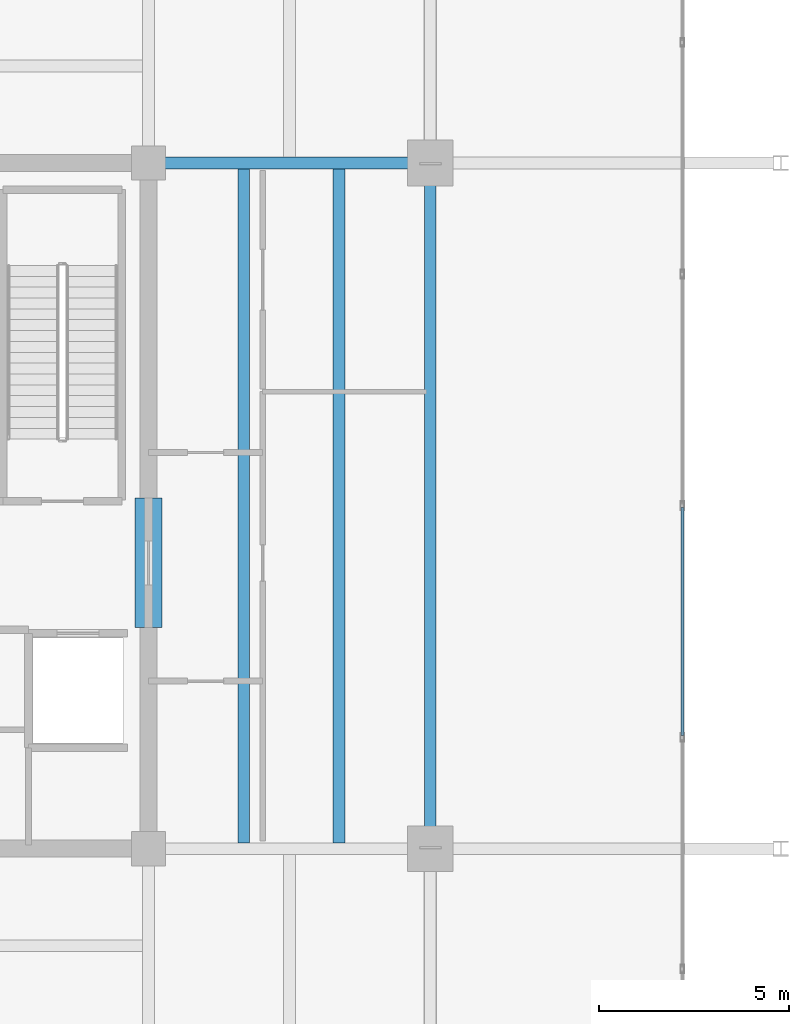
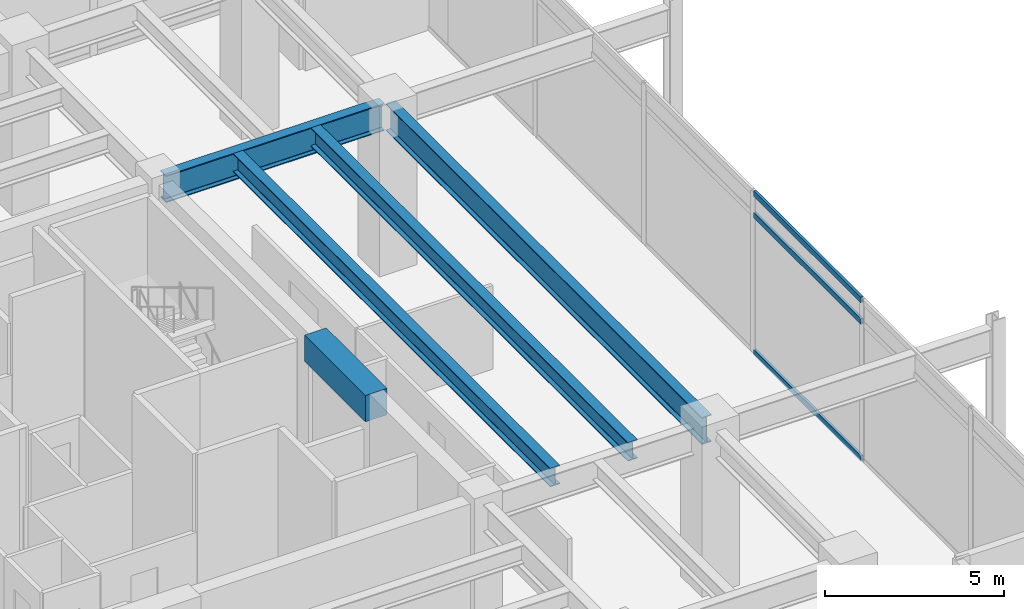
# One storey, part 11 of 25: 5 beams, 3 members, 1 element without a shape of its own.
"""IFC4 building model written with IfcOpenShell, lengths in metres."""

import ifcopenshell
import ifcopenshell.guid

model = None  # the IFC model being written
_history = None  # IfcOwnerHistory: only IFC2X3 demands one
_inside = {}  # id of a spatial element -> (the spatial element, [elements in it])
_under = {}  # id of a project, library or spatial element -> (it, [spatial elements below it])
_declared = {}  # id of a project -> (the project, [libraries it declares])
_typed = {}  # id of a type object -> (the type object, [elements of that type])
_made_of = {}  # id of a material, layer set ... -> (it, [elements and type objects made of it])


def new_model(schema):
    """Start an empty IFC model of exactly this schema.

    Asked for "IFC4X3", IfcOpenShell would pick the latest addendum, in which some entities
    have other attributes; the version numbers below select the first issue.
    IFC2X3 requires an IfcOwnerHistory on every rooted entity: one is made here for all.
    """
    global model, _history
    if schema == "IFC4X3":
        model = ifcopenshell.file(schema_version=(4, 3, 0, 0))
    else:
        model = ifcopenshell.file(schema=schema)
    _inside.clear()
    _under.clear()
    _declared.clear()
    _typed.clear()
    _made_of.clear()
    _history = None
    if model.schema == "IFC2X3":
        org = make("IfcOrganization", Name="unknown")
        user = make(
            "IfcPersonAndOrganization",
            ThePerson=make("IfcPerson", FamilyName="unknown"),
            TheOrganization=org,
        )
        app = make(
            "IfcApplication",
            ApplicationDeveloper=org,
            Version="unknown",
            ApplicationFullName="unknown",
            ApplicationIdentifier="unknown",
        )
        _history = make(
            "IfcOwnerHistory",
            OwningUser=user,
            OwningApplication=app,
            ChangeAction="ADDED",
            CreationDate=0,
        )
    return model


def make(cls, **values):
    """One entity of the class cls with the attributes given. An attribute that is None is left unset."""
    return model.create_entity(
        cls, **{name: value for name, value in values.items() if value is not None}
    )


def rooted(cls, **values):
    """An entity with a GlobalId (a new one), such as an element, a storey or a relation."""
    return make(cls, GlobalId=ifcopenshell.guid.new(), OwnerHistory=_history, **values)


def si_unit(unit_type, name, prefix=None):
    """IfcSIUnit, for example si_unit("LENGTHUNIT", "METRE", prefix="MILLI")."""
    return make("IfcSIUnit", UnitType=unit_type, Prefix=prefix, Name=name)


def assignment(units):
    """IfcUnitAssignment: the units of a project."""
    return None if units is None else make("IfcUnitAssignment", Units=units)


def point(xyz):
    """IfcCartesianPoint."""
    return None if xyz is None else make("IfcCartesianPoint", Coordinates=xyz)


def direction(xyz):
    """IfcDirection."""
    return None if xyz is None else make("IfcDirection", DirectionRatios=xyz)


def frame(location, z_axis=None, x_axis=None):
    """IfcAxis2Placement3D, a coordinate frame: its origin and axes. An axis left out is left unset."""
    return make(
        "IfcAxis2Placement3D",
        Location=point(location),
        Axis=direction(z_axis),
        RefDirection=direction(x_axis),
    )


def frame_2d(location, x_axis=None):
    """IfcAxis2Placement2D, a coordinate frame in the plane: its origin and x axis."""
    return make(
        "IfcAxis2Placement2D", Location=point(location), RefDirection=direction(x_axis)
    )


def origin():
    """The frame at (0, 0, 0) with its axes left unset."""
    return frame((0.0, 0.0, 0.0))


def origin_2d():
    """The frame at (0, 0) in the plane with its x axis left unset."""
    return frame_2d((0.0, 0.0))


def place(relative_to, where):
    """IfcLocalPlacement: puts the frame where relative to a parent placement (None: the world)."""
    return make(
        "IfcLocalPlacement", PlacementRelTo=relative_to, RelativePlacement=where
    )


def context(
    kind, dimensions, precision=None, world=None, true_north=None, identifier=None
):
    """IfcGeometricRepresentationContext, for example the 3D "Model" context."""
    return make(
        "IfcGeometricRepresentationContext",
        ContextIdentifier=identifier,
        ContextType=kind,
        CoordinateSpaceDimension=dimensions,
        Precision=precision,
        WorldCoordinateSystem=world,
        TrueNorth=true_north,
    )


def subcontext(parent, identifier, kind, view, scale=None):
    """IfcGeometricRepresentationSubContext, for example "Body" below "Model"."""
    return make(
        "IfcGeometricRepresentationSubContext",
        ContextIdentifier=identifier,
        ContextType=kind,
        ParentContext=parent,
        TargetScale=scale,
        TargetView=view,
    )


def project(units=None, contexts=None):
    """IfcProject with its units and contexts."""
    return rooted(
        "IfcProject",
        Name="project",
        RepresentationContexts=contexts,
        UnitsInContext=assignment(units),
    )


def spatial(cls, under=None, at=None, **own):
    """A site, building, storey or space (cls), placed at a placement, below another one or the project."""
    s = rooted(cls, ObjectPlacement=at, **own)
    if under is not None:
        _under.setdefault(under.id(), (under, []))[1].append(s)
    return s


def profile(cls, at=None, kind="AREA", **sizes):
    """A parametric profile (cls). Its sizes go by their IFC names, for example OverallWidth=200.0."""
    return make(cls, ProfileType=kind, Position=at, **sizes)


def rectangle(**sizes):
    """IfcRectangleProfileDef."""
    return profile("IfcRectangleProfileDef", **sizes)


def hollow_rectangle(**sizes):
    """IfcRectangleHollowProfileDef."""
    return profile("IfcRectangleHollowProfileDef", **sizes)


def i_section(**sizes):
    """IfcIShapeProfileDef."""
    return profile("IfcIShapeProfileDef", **sizes)


def extrude(swept, where, along, depth):
    """IfcExtrudedAreaSolid: the profile swept, set in the frame where, extruded along a direction by depth."""
    return make(
        "IfcExtrudedAreaSolid",
        SweptArea=swept,
        Position=where,
        ExtrudedDirection=direction(along),
        Depth=depth,
    )


def shape(context_of_items, identifier, shape_type, items):
    """IfcShapeRepresentation: the items that make up one representation, for example the "Body"."""
    return make(
        "IfcShapeRepresentation",
        ContextOfItems=context_of_items,
        RepresentationIdentifier=identifier,
        RepresentationType=shape_type,
        Items=items,
    )


def material(Name=None, Category=None):
    """IfcMaterial."""
    return make("IfcMaterial", Name=Name, Category=Category)


def material_profile(
    of_material, cross_section, Name=None, Category=None, Priority=None
):
    """IfcMaterialProfile: a cross section and its material."""
    return make(
        "IfcMaterialProfile",
        Name=Name,
        Material=of_material,
        Profile=cross_section,
        Priority=Priority,
        Category=Category,
    )


def profile_set(profiles, Name=None, composite=None):
    """IfcMaterialProfileSet."""
    return make(
        "IfcMaterialProfileSet",
        Name=Name,
        MaterialProfiles=profiles,
        CompositeProfile=composite,
    )


def made_of(thing, what):
    """Note that an element or type object is made of a material, layer set ...; save() writes the relation."""
    if what is not None:
        _made_of.setdefault(what.id(), (what, []))[1].append(thing)
    return thing


def type_object(cls, material=None, **own):
    """A type object (cls), such as IfcWallType, which elements share."""
    return made_of(rooted(cls, **own), material)


def element(
    cls,
    number,
    at=None,
    inside=None,
    cuts=None,
    type_object=None,
    material=None,
    context=None,
    identifier="Body",
    shape_type=None,
    held_by="IfcProductDefinitionShape",
    body=None,
    shapes=None,
    **own,
):
    """One element of the class cls, such as IfcWall. Its Tag is "e" and its number.

    at: its placement. inside: the storey or other place that contains it. cuts: it is an
    opening in that element (IfcRelVoidsElement). A single representation is given by context,
    identifier, shape_type and body (its items); several are given by shapes. held_by: the class
    of the entity that holds the representations. save() writes the other relations.
    """
    e = rooted(cls, Tag="e%d" % number, ObjectPlacement=at, **own)
    if body is not None:
        shapes = [shape(context, identifier, shape_type, body)]
    if shapes is not None:
        e.Representation = make(held_by, Representations=shapes)
    if inside is not None:
        _inside.setdefault(inside.id(), (inside, []))[1].append(e)
    if cuts is not None:
        rooted(
            "IfcRelVoidsElement", RelatingBuildingElement=cuts, RelatedOpeningElement=e
        )
    if type_object is not None:
        _typed.setdefault(type_object.id(), (type_object, []))[1].append(e)
    return made_of(e, material)


def aggregate(whole, parts):
    """IfcRelAggregates: a whole, such as a stair, and the parts it consists of."""
    return rooted("IfcRelAggregates", RelatingObject=whole, RelatedObjects=parts)


def save(model, path):
    """Write the relations noted so far, then the file.

    IfcRelAggregates (storeys below a building ...), IfcRelContainedInSpatialStructure (elements
    in a storey), IfcRelDefinesByType, IfcRelAssociatesMaterial and IfcRelDeclares: one each for
    every whole, place, type object, material and project.
    """
    for whole, parts in _under.values():
        aggregate(whole, parts)
    for where, things in _inside.values():
        rooted(
            "IfcRelContainedInSpatialStructure",
            RelatedElements=things,
            RelatingStructure=where,
        )
    for kind, things in _typed.values():
        rooted("IfcRelDefinesByType", RelatedObjects=things, RelatingType=kind)
    for what, things in _made_of.values():
        rooted("IfcRelAssociatesMaterial", RelatedObjects=things, RelatingMaterial=what)
    for by, libraries in _declared.values():
        rooted("IfcRelDeclares", RelatingContext=by, RelatedDefinitions=libraries)
    model.write(path)


model = new_model("IFC4")

# Units and contexts
model_context = context("Model", 3, precision=1e-05, world=origin(), true_north=direction((0.0, 1.0)))
body_context = subcontext(model_context, "Body", "Model", "MODEL_VIEW")
ifc_project = project(units=[si_unit("LENGTHUNIT", "METRE"), si_unit("AREAUNIT", "SQUARE_METRE"), si_unit("VOLUMEUNIT", "CUBIC_METRE"), si_unit("PLANEANGLEUNIT", "RADIAN"), si_unit("MASSUNIT", "GRAM", prefix="KILO")], contexts=[model_context])

# Site, building, storey
site_placement = place(None, origin())
site = spatial("IfcSite", under=ifc_project, at=site_placement, CompositionType="ELEMENT")
building_placement = place(site_placement, origin())
building = spatial("IfcBuilding", under=site, at=building_placement, Name="Kovane Verandah Tower", CompositionType="ELEMENT")
storey_placement = place(building_placement, frame((0.0, 0.0, 295.199951171875)))
storey = spatial("IfcBuildingStorey", under=building, at=storey_placement, Name="L69", CompositionType="ELEMENT", Elevation=295.199951171875)

# Beams
ifc_material_1 = material(Name="Concrete C60/75", Category="concrete")
ifc_material_profile_1 = material_profile(ifc_material_1, rectangle(XDim=0.699951171875, YDim=0.89990234375, at=origin_2d()), Name="RCB700x900")
ifc_profile_set_1 = profile_set([ifc_material_profile_1], Name="Concrete C60/75")
beam_type_1 = type_object("IfcBeamType", Name="BM-LINTEL-700x900", PredefinedType="LINTEL", material=ifc_profile_set_1)
beam_1_placement = place(storey_placement, frame((51.0, 24.300048828125, 5.050048828125), z_axis=(0.0, 1.0, 0.0), x_axis=(-1.0, 0.0, 0.0)))
element("IfcBeam", 1, at=beam_1_placement, inside=storey, type_object=beam_type_1, Name="L69 Core Coupling Lintel CL-E", PredefinedType="LINTEL", context=body_context, shape_type="SweptSolid", body=[
    extrude(rectangle(XDim=0.699951171875, YDim=0.89990234375, at=origin_2d()), origin(), (0.0, 0.0, 1.0), 3.39990234375),
])
ifc_material_2 = material(Name="Steel S460", Category="steel")
ifc_material_profile_2 = material_profile(ifc_material_2, i_section(OverallWidth=0.311279296875, OverallDepth=0.6357421875, WebThickness=0.018310546875, FlangeThickness=0.031494140625, FilletRadius=0.0166015625, at=origin_2d()), Name="UB610x305x238")
ifc_profile_set_2 = profile_set([ifc_material_profile_2], Name="Steel S460")
beam_type_2 = type_object("IfcBeamType", Name="BM-UB610x238", PredefinedType="BEAM", material=ifc_profile_set_2)
for number, where, z_axis, x_axis, name in (
    (2, (53.5, 18.65185546875, 5.18212890625), (0.0, 1.0, 0.0), (-1.0, 0.0, 0.0), "L69 Secondary Composite Joist J-E1"),
    (3, (56.0, 18.65185546875, 5.18212890625), (0.0, 1.0, 0.0), (-1.0, 0.0, 0.0), "L69 Secondary Composite Joist J-E2"),
):
    element("IfcBeam", number, at=place(storey_placement, frame(where, z_axis=z_axis, x_axis=x_axis)), inside=storey, type_object=beam_type_2, Name=name, PredefinedType="BEAM", context=body_context, shape_type="SweptSolid", body=[
        extrude(i_section(OverallWidth=0.311279296875, OverallDepth=0.6357421875, WebThickness=0.018310546875, FlangeThickness=0.031494140625, FilletRadius=0.0166015625, at=origin_2d()), origin(), (0.0, 0.0, 1.0), 17.6962890625),
    ])
ifc_material_profile_3 = material_profile(ifc_material_2, i_section(OverallWidth=0.3076171875, OverallDepth=0.926513671875, WebThickness=0.01953125, FlangeThickness=0.031982421875, FilletRadius=0.01904296875, at=origin_2d()), Name="UB914x305x289")
ifc_profile_set_3 = profile_set([ifc_material_profile_3], Name="Steel S460")
beam_type_3 = type_object("IfcBeamType", Name="BM-UB914x289", PredefinedType="BEAM", material=ifc_profile_set_3)
beam_2_placement = place(storey_placement, frame((58.39990234375, 18.679931640625, 5.036865234375), z_axis=(0.0, 1.0, 0.0), x_axis=(-1.0, 0.0, 0.0)))
element("IfcBeam", 4, at=beam_2_placement, inside=storey, type_object=beam_type_3, Name="L69 Primary Tower Girder G-RE2", PredefinedType="BEAM", context=body_context, shape_type="SweptSolid", body=[
    extrude(i_section(OverallWidth=0.3076171875, OverallDepth=0.926513671875, WebThickness=0.01953125, FlangeThickness=0.031982421875, FilletRadius=0.01904296875, at=origin_2d()), origin(), (0.0, 0.0, 1.0), 17.64013671875),
])
beam_3_placement = place(storey_placement, frame((51.179931640625, 36.5, 5.036865234375), z_axis=(1.0, 0.0, 0.0), x_axis=(0.0, 1.0, 0.0)))
element("IfcBeam", 5, at=beam_3_placement, inside=storey, type_object=beam_type_3, Name="L69 Primary Tower Girder G-E2", PredefinedType="BEAM", context=body_context, shape_type="SweptSolid", body=[
    extrude(i_section(OverallWidth=0.3076171875, OverallDepth=0.926513671875, WebThickness=0.01953125, FlangeThickness=0.031982421875, FilletRadius=0.01904296875, at=origin_2d()), origin(), (0.0, 0.0, 1.0), 7.0400390625),
])

# Curtain wall, members
ifc_material_3 = material(Name="Champagne Anodised Aluminium Frame with Low-E Clear Laminated Glass", Category="aluminium")
curtain_wall_type = type_object("IfcCurtainWallType", Name="CW-SYS-05-HIGH", PredefinedType="NOTDEFINED", material=ifc_material_3)
curtain_wall_placement = place(storey_placement, origin())
curtain_wall = element("IfcCurtainWall", 6, at=curtain_wall_placement, inside=storey, type_object=curtain_wall_type, Name="L69 E Unitised Curtain Wall", PredefinedType="NOTDEFINED")
ifc_material_4 = material(Name="Champagne Anodised Aluminium 6063-T6", Category="aluminium")
ifc_material_profile_4 = material_profile(ifc_material_4, hollow_rectangle(XDim=0.0849609375, YDim=0.18994140625, WallThickness=0.00390625, at=origin_2d()), Name="AL85x190x4")
ifc_profile_set_4 = profile_set([ifc_material_profile_4], Name="Champagne Anodised Aluminium 6063-T6")
member_type = type_object("IfcMemberType", Name="CW-TRN-85x190", PredefinedType="USERDEFINED", material=ifc_profile_set_4)
member_1_placement = place(storey_placement, frame((65.017822265625, 21.469482421875, 0.050048828125), z_axis=(0.0, 1.0, 0.0), x_axis=(-1.0, 0.0, 0.0)))
member_1 = element("IfcMember", 7, at=member_1_placement, type_object=member_type, Name="L69 E Unitised Curtain Wall Transom TB Bay 3", ObjectType="TRANSOM", PredefinedType="USERDEFINED", context=body_context, shape_type="SweptSolid", body=[
    extrude(hollow_rectangle(XDim=0.0849609375, YDim=0.18994140625, WallThickness=0.00390625, at=origin_2d()), origin(), (0.0, 0.0, 1.0), 5.98046875),
])
member_2_placement = place(storey_placement, frame((65.017822265625, 21.469482421875, 4.719970703125), z_axis=(0.0, 1.0, 0.0), x_axis=(-1.0, 0.0, 0.0)))
member_2 = element("IfcMember", 8, at=member_2_placement, type_object=member_type, Name="L69 E Unitised Curtain Wall Transom TM Bay 3", ObjectType="TRANSOM", PredefinedType="USERDEFINED", context=body_context, shape_type="SweptSolid", body=[
    extrude(hollow_rectangle(XDim=0.0849609375, YDim=0.18994140625, WallThickness=0.00390625, at=origin_2d()), origin(), (0.0, 0.0, 1.0), 5.98046875),
])
member_3_placement = place(storey_placement, frame((65.017822265625, 21.469482421875, 5.449951171875), z_axis=(0.0, 1.0, 0.0), x_axis=(-1.0, 0.0, 0.0)))
member_3 = element("IfcMember", 9, at=member_3_placement, type_object=member_type, Name="L69 E Unitised Curtain Wall Transom TT Bay 3", ObjectType="TRANSOM", PredefinedType="USERDEFINED", context=body_context, shape_type="SweptSolid", body=[
    extrude(hollow_rectangle(XDim=0.0849609375, YDim=0.18994140625, WallThickness=0.00390625, at=origin_2d()), origin(), (0.0, 0.0, 1.0), 5.98046875),
])
aggregate(curtain_wall, [member_1, member_2, member_3])

save(model, "model.ifc")
